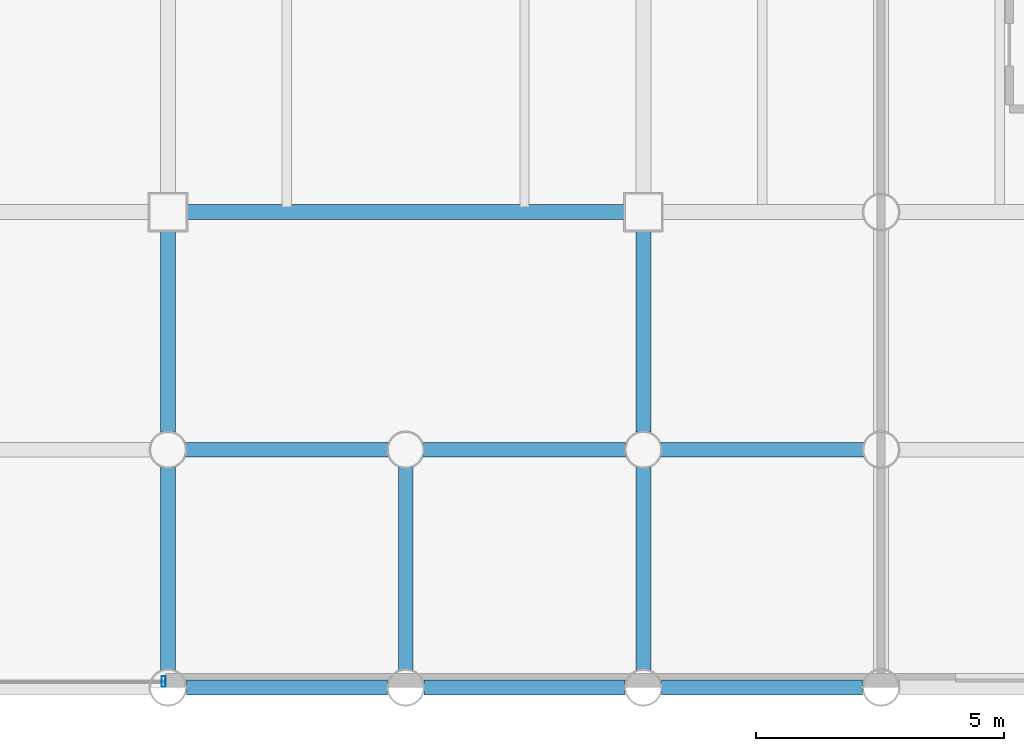
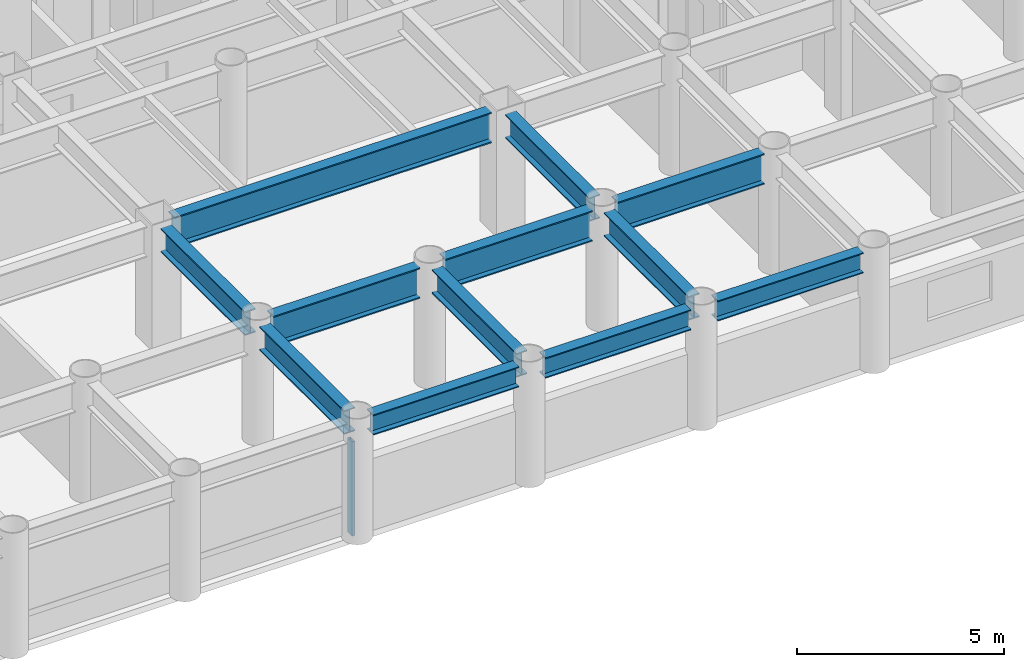
# One storey, part 6 of 19: 12 beams, 1 member, 1 element without a shape of its own.
"""IFC4 building model written with IfcOpenShell, lengths in metres."""

from ifc_helpers import new_model, si_unit, direction, frame, origin, origin_2d, place, context, subcontext, project, spatial, hollow_rectangle, i_section, extrude, material, layer, layer_set, material_profile, profile_set, type_object, element, aggregate, save


model = new_model("IFC4")

# Units and contexts
model_context = context("Model", 3, precision=1e-05, world=origin(), true_north=direction((0.0, 1.0)))
body_context = subcontext(model_context, "Body", "Model", "MODEL_VIEW")
ifc_project = project(units=[si_unit("LENGTHUNIT", "METRE"), si_unit("AREAUNIT", "SQUARE_METRE"), si_unit("VOLUMEUNIT", "CUBIC_METRE"), si_unit("PLANEANGLEUNIT", "RADIAN"), si_unit("MASSUNIT", "GRAM", prefix="KILO")], contexts=[model_context])

# Site, building, storey
site_placement = place(None, origin())
site = spatial("IfcSite", under=ifc_project, at=site_placement, CompositionType="ELEMENT")
building_placement = place(site_placement, origin())
building = spatial("IfcBuilding", under=site, at=building_placement, Name="Kallvorn Hotel Tower", CompositionType="ELEMENT")
storey_placement = place(building_placement, frame((0.0, 0.0, 63.300048828125)))
storey = spatial("IfcBuildingStorey", under=building, at=storey_placement, Name="L14", CompositionType="ELEMENT", Elevation=63.300048828125)

# Beams
ifc_material_1 = material(Name="Structural steel S355JR", Category="steel")
ifc_material_profile_1 = material_profile(ifc_material_1, i_section(OverallWidth=0.300048828125, OverallDepth=0.60009765625, WebThickness=0.015380859375, FlangeThickness=0.030029296875, at=origin_2d()), Name="HE 600 B")
ifc_profile_set_1 = profile_set([ifc_material_profile_1], Name="Structural steel S355JR")
beam_type_1 = type_object("IfcBeamType", Name="BM_HE600B", PredefinedType="SPANDREL", material=ifc_profile_set_1)
for number, where, z_axis, x_axis, name in (
    (1, (5.1708984375, -24.0, 3.219970703125), (1.0, 0.0, 0.0), (0.0, 1.0, 0.0), "L15 Perimeter Spandrel 157"),
    (2, (9.970947265625, -24.0, 3.219970703125), (1.0, 0.0, 0.0), (0.0, 1.0, 0.0), "L15 Perimeter Spandrel 158"),
    (3, (14.77099609375, -24.0, 3.219970703125), (1.0, 0.0, 0.0), (0.0, 1.0, 0.0), "L15 Perimeter Spandrel 159"),
):
    element("IfcBeam", number, at=place(storey_placement, frame(where, z_axis=z_axis, x_axis=x_axis)), inside=storey, type_object=beam_type_1, Name=name, PredefinedType="SPANDREL", context=body_context, shape_type="SweptSolid", body=[
        extrude(i_section(OverallWidth=0.300048828125, OverallDepth=0.60009765625, WebThickness=0.015380859375, FlangeThickness=0.030029296875, at=origin_2d()), origin(), (0.0, 0.0, 1.0), 4.05810546875),
    ])
ifc_material_2 = material(Name="Structural steel S355JR", Category="steel")
ifc_material_profile_2 = material_profile(ifc_material_2, i_section(OverallWidth=0.300048828125, OverallDepth=0.699951171875, WebThickness=0.01708984375, FlangeThickness=0.031982421875, at=origin_2d()), Name="HE 700 B")
ifc_profile_set_2 = profile_set([ifc_material_profile_2], Name="Structural steel S355JR")
beam_type_2 = type_object("IfcBeamType", Name="BM_HE700B", PredefinedType="BEAM", material=ifc_profile_set_2)
beam_1_placement = place(storey_placement, frame((4.800048828125, -23.64404296875, 3.169921875), z_axis=(0.0, 1.0, 0.0), x_axis=(-1.0, 0.0, 0.0)))
element("IfcBeam", 4, at=beam_1_placement, inside=storey, type_object=beam_type_2, Name="L15 Primary Y-Girder 113", PredefinedType="BEAM", context=body_context, shape_type="SweptSolid", body=[
    extrude(i_section(OverallWidth=0.300048828125, OverallDepth=0.699951171875, WebThickness=0.01708984375, FlangeThickness=0.031982421875, at=origin_2d()), origin(), (0.0, 0.0, 1.0), 4.088134765625),
])
beam_2_placement = place(storey_placement, frame((4.800048828125, -18.843994140625, 3.169921875), z_axis=(0.0, 1.0, 0.0), x_axis=(-1.0, 0.0, 0.0)))
element("IfcBeam", 5, at=beam_2_placement, inside=storey, type_object=beam_type_2, Name="L15 Primary Y-Girder 114", PredefinedType="BEAM", context=body_context, shape_type="SweptSolid", body=[
    extrude(i_section(OverallWidth=0.300048828125, OverallDepth=0.699951171875, WebThickness=0.01708984375, FlangeThickness=0.031982421875, at=origin_2d()), origin(), (0.0, 0.0, 1.0), 4.069091796875),
])
for number, where, z_axis, x_axis, name in (
    (6, (9.60009765625, -23.64404296875, 3.169921875), (0.0, 1.0, 0.0), (-1.0, 0.0, 0.0), "L15 Primary Y-Girder 118"),
    (7, (14.39990234375, -23.64404296875, 3.169921875), (0.0, 1.0, 0.0), (-1.0, 0.0, 0.0), "L15 Primary Y-Girder 121"),
):
    element("IfcBeam", number, at=place(storey_placement, frame(where, z_axis=z_axis, x_axis=x_axis)), inside=storey, type_object=beam_type_2, Name=name, PredefinedType="BEAM", context=body_context, shape_type="SweptSolid", body=[
        extrude(i_section(OverallWidth=0.300048828125, OverallDepth=0.699951171875, WebThickness=0.01708984375, FlangeThickness=0.031982421875, at=origin_2d()), origin(), (0.0, 0.0, 1.0), 4.088134765625),
    ])
beam_3_placement = place(storey_placement, frame((14.39990234375, -18.843994140625, 3.169921875), z_axis=(0.0, 1.0, 0.0), x_axis=(-1.0, 0.0, 0.0)))
element("IfcBeam", 8, at=beam_3_placement, inside=storey, type_object=beam_type_2, Name="L15 Primary Y-Girder 122", PredefinedType="BEAM", context=body_context, shape_type="SweptSolid", body=[
    extrude(i_section(OverallWidth=0.300048828125, OverallDepth=0.699951171875, WebThickness=0.01708984375, FlangeThickness=0.031982421875, at=origin_2d()), origin(), (0.0, 0.0, 1.0), 4.069091796875),
])
ifc_material_3 = material(Name="Structural steel S355JR", Category="steel")
ifc_material_profile_3 = material_profile(ifc_material_3, i_section(OverallWidth=0.300048828125, OverallDepth=0.89990234375, WebThickness=0.0185546875, FlangeThickness=0.034912109375, at=origin_2d()), Name="HE 900 B")
ifc_profile_set_3 = profile_set([ifc_material_profile_3], Name="Structural steel S355JR")
beam_type_3 = type_object("IfcBeamType", Name="BM_HE900B", PredefinedType="BEAM", material=ifc_profile_set_3)
for number, where, z_axis, x_axis, name in (
    (9, (5.156005859375, -19.199951171875, 3.070068359375), (1.0, 0.0, 0.0), (0.0, 1.0, 0.0), "L15 Primary X-Girder 08"),
    (10, (9.9560546875, -19.199951171875, 3.070068359375), (1.0, 0.0, 0.0), (0.0, 1.0, 0.0), "L15 Primary X-Girder 09"),
    (11, (14.756103515625, -19.199951171875, 3.070068359375), (1.0, 0.0, 0.0), (0.0, 1.0, 0.0), "L15 Primary X-Girder 10"),
):
    element("IfcBeam", number, at=place(storey_placement, frame(where, z_axis=z_axis, x_axis=x_axis)), inside=storey, type_object=beam_type_3, Name=name, PredefinedType="BEAM", context=body_context, shape_type="SweptSolid", body=[
        extrude(i_section(OverallWidth=0.300048828125, OverallDepth=0.89990234375, WebThickness=0.0185546875, FlangeThickness=0.034912109375, at=origin_2d()), origin(), (0.0, 0.0, 1.0), 4.087890625),
    ])
beam_4_placement = place(storey_placement, frame((5.175048828125, -14.39990234375, 3.070068359375), z_axis=(1.0, 0.0, 0.0), x_axis=(0.0, 1.0, 0.0)))
element("IfcBeam", 12, at=beam_4_placement, inside=storey, type_object=beam_type_3, Name="L15 Primary X-Girder 19", PredefinedType="BEAM", context=body_context, shape_type="SweptSolid", body=[
    extrude(i_section(OverallWidth=0.300048828125, OverallDepth=0.89990234375, WebThickness=0.0185546875, FlangeThickness=0.034912109375, at=origin_2d()), origin(), (0.0, 0.0, 1.0), 8.849853515625),
])

# Curtain wall, member
ifc_material_4 = material(Name="Thermally broken black-anodised aluminium AA 6063-T6", Category="aluminium")
ifc_layer = layer(ifc_material_4, 0.199951171875)
ifc_layer_set = layer_set([ifc_layer], Name="CW_SYS_3_HOTEL_LOW")
curtain_wall_type = type_object("IfcCurtainWallType", Name="CW_SYS_3_HOTEL_LOW", PredefinedType="USERDEFINED", material=ifc_layer_set)
curtain_wall_placement = place(storey_placement, origin())
curtain_wall = element("IfcCurtainWall", 13, at=curtain_wall_placement, inside=storey, type_object=curtain_wall_type, Name="L14 Dark-Glass Curtain Wall CW-L14-SC", ObjectType="UNITISED CURTAIN WALL", PredefinedType="USERDEFINED")
ifc_material_5 = material(Name="Thermally broken black-anodised aluminium AA 6063-T6", Category="aluminium")
ifc_material_profile_4 = material_profile(ifc_material_5, hollow_rectangle(XDim=0.080078125, YDim=0.219970703125, WallThickness=0.0048828125, at=origin_2d()), Name="MUL 220x80")
ifc_profile_set_4 = profile_set([ifc_material_profile_4], Name="Thermally broken black-anodised aluminium AA 6063-T6")
member_type = type_object("IfcMemberType", Name="CW_MULLION_220x80", PredefinedType="MULLION", material=ifc_profile_set_4)
member_placement = place(storey_placement, frame((4.7099609375, -23.8798828125, 0.02001953125), z_axis=(0.0, 0.0, 1.0), x_axis=(1.0, 0.0, 0.0)))
member = element("IfcMember", 14, at=member_placement, type_object=member_type, Name="CW-L14-SC Mullion 02", PredefinedType="MULLION", context=body_context, shape_type="SweptSolid", body=[
    extrude(hollow_rectangle(XDim=0.080078125, YDim=0.219970703125, WallThickness=0.0048828125, at=origin_2d()), origin(), (0.0, 0.0, 1.0), 2.780029296875),
])
aggregate(curtain_wall, [member])

save(model, "model.ifc")
